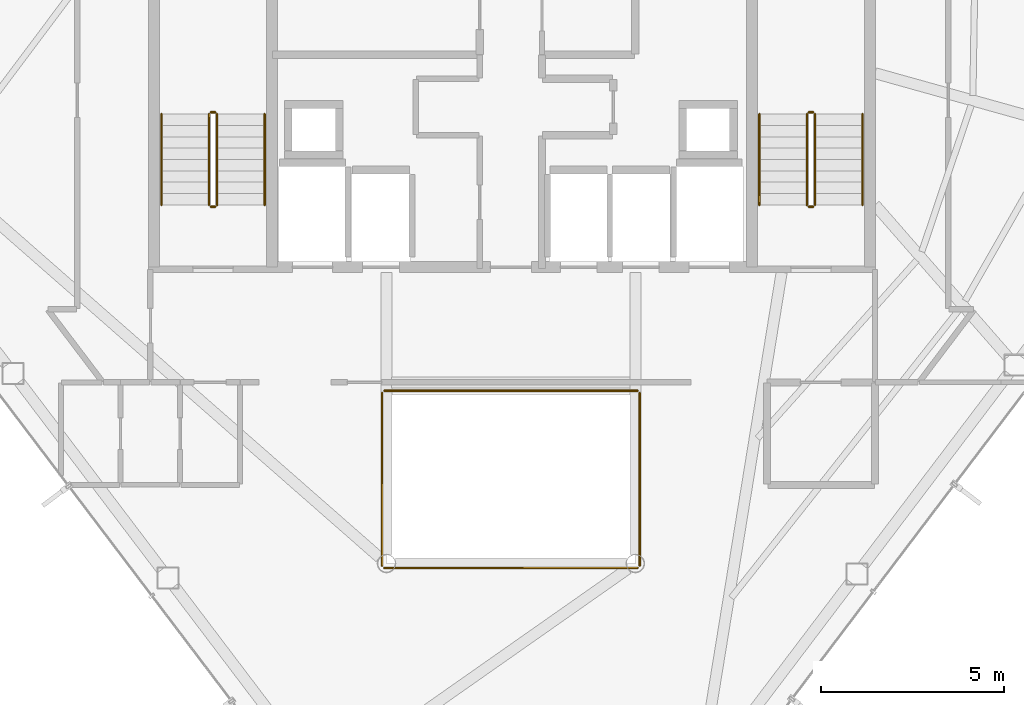
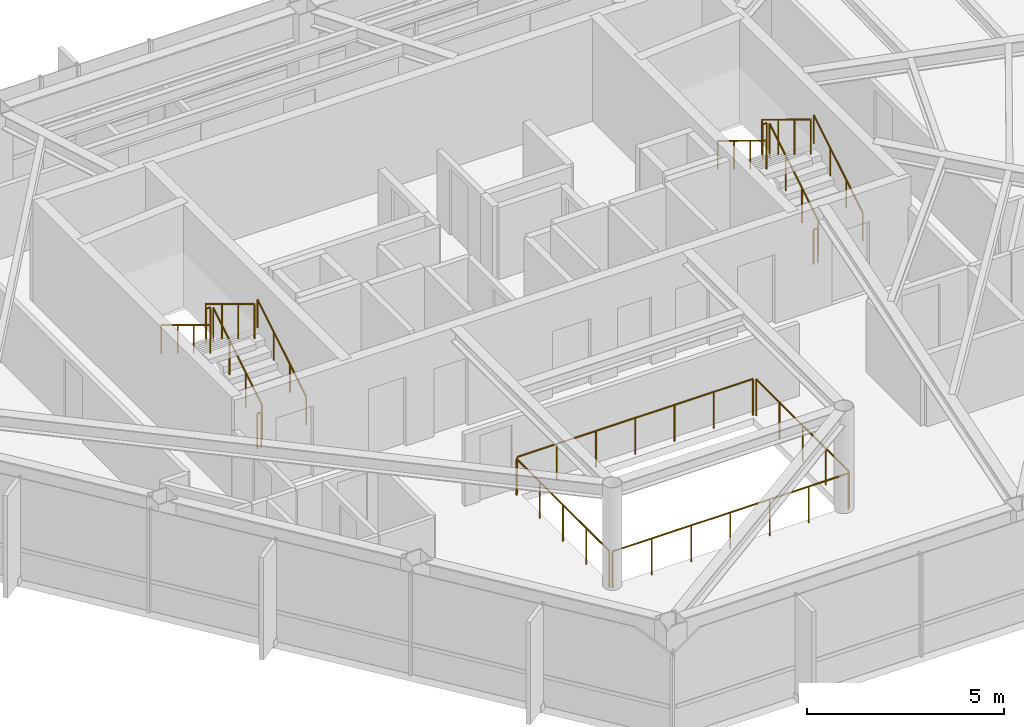
# One storey, part 25 of 25: 16 railings.
"""IFC4 building model written with IfcOpenShell, lengths in metres."""

from ifc_helpers import new_model, si_unit, direction, frame, origin, origin_2d, place, context, subcontext, project, spatial, circle, extrude, material, type_object, element, save


model = new_model("IFC4")

# Units and contexts
model_context = context("Model", 3, precision=1e-05, world=origin(), true_north=direction((0.0, 1.0)))
body_context = subcontext(model_context, "Body", "Model", "MODEL_VIEW")
ifc_project = project(units=[si_unit("LENGTHUNIT", "METRE"), si_unit("AREAUNIT", "SQUARE_METRE"), si_unit("VOLUMEUNIT", "CUBIC_METRE"), si_unit("PLANEANGLEUNIT", "RADIAN"), si_unit("MASSUNIT", "GRAM", prefix="KILO")], contexts=[model_context])

# Site, building, storey
site_placement = place(None, origin())
site = spatial("IfcSite", under=ifc_project, at=site_placement, CompositionType="ELEMENT")
building_placement = place(site_placement, origin())
building = spatial("IfcBuilding", under=site, at=building_placement, Name="Zarrinselat Tower", CompositionType="ELEMENT")
storey_placement = place(building_placement, frame((0.0, 0.0, 242.760009765625)))
storey = spatial("IfcBuildingStorey", under=building, at=storey_placement, Name="L61", CompositionType="ELEMENT", Elevation=242.760009765625)

# Railings
ifc_material_1 = material(Name="Double Low-E Laminated Solar Glass", Category="glass")
railing_type_1 = type_object("IfcRailingType", Name="RLG-ATRIUM-BAL", PredefinedType="BALUSTRADE", material=ifc_material_1)
railing_1_placement = place(storey_placement, frame((34.93994140625, 25.080078125, 0.0)))
element("IfcRailing", 1, at=railing_1_placement, inside=storey, type_object=railing_type_1, Name="L61 Atrium Void Glass Balustrade S", PredefinedType="BALUSTRADE", context=body_context, shape_type="SweptSolid", body=[
    extrude(circle(Radius=0.02392578125, at=origin_2d()), frame((0.0, 0.0, 1.1259765625), z_axis=(1.0, 0.0, 0.0), x_axis=(0.0, 1.0, 0.0)), (0.0, 0.0, 1.0), 6.920166015625),
    extrude(circle(Radius=0.02099609375, at=origin_2d()), origin(), (0.0, 0.0, 1.0), 1.099853515625),
    extrude(circle(Radius=0.02099609375, at=origin_2d()), frame((1.1533203125, 0.0, 0.0)), (0.0, 0.0, 1.0), 1.099853515625),
    extrude(circle(Radius=0.02099609375, at=origin_2d()), frame((2.306640625, 0.0, 0.0)), (0.0, 0.0, 1.0), 1.099853515625),
    extrude(circle(Radius=0.02099609375, at=origin_2d()), frame((3.4599609375, 0.0, 0.0)), (0.0, 0.0, 1.0), 1.099853515625),
    extrude(circle(Radius=0.02099609375, at=origin_2d()), frame((4.613525390625, 0.0, 0.0)), (0.0, 0.0, 1.0), 1.099853515625),
    extrude(circle(Radius=0.02099609375, at=origin_2d()), frame((5.766845703125, 0.0, 0.0)), (0.0, 0.0, 1.0), 1.099853515625),
    extrude(circle(Radius=0.02099609375, at=origin_2d()), frame((6.920166015625, 0.0, 0.0)), (0.0, 0.0, 1.0), 1.099853515625),
])
railing_2_placement = place(storey_placement, frame((41.919921875, 25.139892578125, 0.0)))
element("IfcRailing", 2, at=railing_2_placement, inside=storey, type_object=railing_type_1, Name="L61 Atrium Void Glass Balustrade E", PredefinedType="BALUSTRADE", context=body_context, shape_type="SweptSolid", body=[
    extrude(circle(Radius=0.02392578125, at=origin_2d()), frame((0.0, 0.0, 1.1259765625), z_axis=(0.0, 1.0, 0.0), x_axis=(-1.0, 0.0, 0.0)), (0.0, 0.0, 1.0), 4.72021484375),
    extrude(circle(Radius=0.02099609375, at=origin_2d()), origin(), (0.0, 0.0, 1.0), 1.099853515625),
    extrude(circle(Radius=0.02099609375, at=origin_2d()), frame((0.0, 1.18017578125, 0.0)), (0.0, 0.0, 1.0), 1.099853515625),
    extrude(circle(Radius=0.02099609375, at=origin_2d()), frame((0.0, 2.360107421875, 0.0)), (0.0, 0.0, 1.0), 1.099853515625),
    extrude(circle(Radius=0.02099609375, at=origin_2d()), frame((0.0, 3.5400390625, 0.0)), (0.0, 0.0, 1.0), 1.099853515625),
    extrude(circle(Radius=0.02099609375, at=origin_2d()), frame((0.0, 4.72021484375, 0.0)), (0.0, 0.0, 1.0), 1.099853515625),
])
railing_3_placement = place(storey_placement, frame((41.860107421875, 29.919921875, 0.0)))
element("IfcRailing", 3, at=railing_3_placement, inside=storey, type_object=railing_type_1, Name="L61 Atrium Void Glass Balustrade N", PredefinedType="BALUSTRADE", context=body_context, shape_type="SweptSolid", body=[
    extrude(circle(Radius=0.02392578125, at=origin_2d()), frame((0.0, 0.0, 1.1259765625), z_axis=(-1.0, 0.0, 0.0), x_axis=(0.0, -1.0, 0.0)), (0.0, 0.0, 1.0), 6.920166015625),
    extrude(circle(Radius=0.02099609375, at=origin_2d()), origin(), (0.0, 0.0, 1.0), 1.099853515625),
    extrude(circle(Radius=0.02099609375, at=origin_2d()), frame((-1.1533203125, 0.0, 0.0)), (0.0, 0.0, 1.0), 1.099853515625),
    extrude(circle(Radius=0.02099609375, at=origin_2d()), frame((-2.306640625, 0.0, 0.0)), (0.0, 0.0, 1.0), 1.099853515625),
    extrude(circle(Radius=0.02099609375, at=origin_2d()), frame((-3.4599609375, 0.0, 0.0)), (0.0, 0.0, 1.0), 1.099853515625),
    extrude(circle(Radius=0.02099609375, at=origin_2d()), frame((-4.613525390625, 0.0, 0.0)), (0.0, 0.0, 1.0), 1.099853515625),
    extrude(circle(Radius=0.02099609375, at=origin_2d()), frame((-5.766845703125, 0.0, 0.0)), (0.0, 0.0, 1.0), 1.099853515625),
    extrude(circle(Radius=0.02099609375, at=origin_2d()), frame((-6.920166015625, 0.0, 0.0)), (0.0, 0.0, 1.0), 1.099853515625),
])
railing_4_placement = place(storey_placement, frame((34.8798828125, 29.860107421875, 0.0)))
element("IfcRailing", 4, at=railing_4_placement, inside=storey, type_object=railing_type_1, Name="L61 Atrium Void Glass Balustrade W", PredefinedType="BALUSTRADE", context=body_context, shape_type="SweptSolid", body=[
    extrude(circle(Radius=0.02392578125, at=origin_2d()), frame((0.0, 0.0, 1.1259765625), z_axis=(0.0, -1.0, 0.0), x_axis=(1.0, 0.0, 0.0)), (0.0, 0.0, 1.0), 4.72021484375),
    extrude(circle(Radius=0.02099609375, at=origin_2d()), origin(), (0.0, 0.0, 1.0), 1.099853515625),
    extrude(circle(Radius=0.02099609375, at=origin_2d()), frame((0.0, -1.18017578125, 0.0)), (0.0, 0.0, 1.0), 1.099853515625),
    extrude(circle(Radius=0.02099609375, at=origin_2d()), frame((0.0, -2.360107421875, 0.0)), (0.0, 0.0, 1.0), 1.099853515625),
    extrude(circle(Radius=0.02099609375, at=origin_2d()), frame((0.0, -3.5400390625, 0.0)), (0.0, 0.0, 1.0), 1.099853515625),
    extrude(circle(Radius=0.02099609375, at=origin_2d()), frame((0.0, -4.72021484375, 0.0)), (0.0, 0.0, 1.0), 1.099853515625),
])
ifc_material_2 = material(Name="Steel S355J2", Category="steel")
railing_type_2 = type_object("IfcRailingType", Name="RLG-STAIR-GUARD", PredefinedType="GUARDRAIL", material=ifc_material_2)
railing_5_placement = place(storey_placement, frame((30.3701171875, 35.0, 0.18896484375)))
element("IfcRailing", 5, at=railing_5_placement, inside=storey, type_object=railing_type_2, Name="L61 ST-1 stair guard 1", PredefinedType="GUARDRAIL", context=body_context, shape_type="SweptSolid", body=[
    extrude(circle(Radius=0.02392578125, at=origin_2d()), frame((0.0, 0.0, 1.076171875), z_axis=(0.0, 0.8539793189, 0.520306950647), x_axis=(-1.0, 0.0, 0.0)), (0.0, 0.0, 1.0), 2.904052734375),
    extrude(circle(Radius=0.02099609375, at=origin_2d()), origin(), (0.0, 0.0, 1.0), 1.050048828125),
    extrude(circle(Radius=0.02099609375, at=origin_2d()), frame((0.0, 0.82666015625, 0.503662109375)), (0.0, 0.0, 1.0), 1.050048828125),
    extrude(circle(Radius=0.02099609375, at=origin_2d()), frame((0.0, 1.6533203125, 1.00732421875)), (0.0, 0.0, 1.0), 1.050048828125),
    extrude(circle(Radius=0.02099609375, at=origin_2d()), frame((0.0, 2.47998046875, 1.510986328125)), (0.0, 0.0, 1.0), 1.050048828125),
])
railing_6_placement = place(storey_placement, frame((30.320068359375, 37.530029296875, 1.699951171875)))
element("IfcRailing", 6, at=railing_6_placement, inside=storey, type_object=railing_type_2, Name="L61 ST-1 stair guard 2", PredefinedType="GUARDRAIL", context=body_context, shape_type="SweptSolid", body=[
    extrude(circle(Radius=0.02392578125, at=origin_2d()), frame((0.0, 0.0, 1.076171875), z_axis=(-1.0, 0.0, 0.0), x_axis=(0.0, -1.0, 0.0)), (0.0, 0.0, 1.0), 0.1201171875),
    extrude(circle(Radius=0.02099609375, at=origin_2d()), origin(), (0.0, 0.0, 1.0), 1.050048828125),
    extrude(circle(Radius=0.02099609375, at=origin_2d()), frame((-0.1201171875, 0.0, 0.0)), (0.0, 0.0, 1.0), 1.050048828125),
])
railing_7_placement = place(storey_placement, frame((30.14990234375, 37.47998046875, 1.888916015625)))
element("IfcRailing", 7, at=railing_7_placement, inside=storey, type_object=railing_type_2, Name="L61 ST-1 stair guard 3", PredefinedType="GUARDRAIL", context=body_context, shape_type="SweptSolid", body=[
    extrude(circle(Radius=0.02392578125, at=origin_2d()), frame((0.0, 0.0, 1.076171875), z_axis=(0.0, -0.8539793189, 0.520306950647), x_axis=(1.0, 0.0, 0.0)), (0.0, 0.0, 1.0), 2.904052734375),
    extrude(circle(Radius=0.02099609375, at=origin_2d()), origin(), (0.0, 0.0, 1.0), 1.050048828125),
    extrude(circle(Radius=0.02099609375, at=origin_2d()), frame((0.0, -0.82666015625, 0.503662109375)), (0.0, 0.0, 1.0), 1.050048828125),
    extrude(circle(Radius=0.02099609375, at=origin_2d()), frame((0.0, -1.6533203125, 1.00732421875)), (0.0, 0.0, 1.0), 1.050048828125),
    extrude(circle(Radius=0.02099609375, at=origin_2d()), frame((0.0, -2.47998046875, 1.510986328125)), (0.0, 0.0, 1.0), 1.050048828125),
])
railing_8_placement = place(storey_placement, frame((30.320068359375, 34.949951171875, 0.0)))
element("IfcRailing", 8, at=railing_8_placement, inside=storey, type_object=railing_type_2, Name="L61 ST-1 stair guard 4", PredefinedType="GUARDRAIL", context=body_context, shape_type="SweptSolid", body=[
    extrude(circle(Radius=0.02392578125, at=origin_2d()), frame((0.0, 0.0, 1.076171875), z_axis=(-1.0, 0.0, 0.0), x_axis=(0.0, -1.0, 0.0)), (0.0, 0.0, 1.0), 0.1201171875),
    extrude(circle(Radius=0.02099609375, at=origin_2d()), origin(), (0.0, 0.0, 1.0), 1.050048828125),
    extrude(circle(Radius=0.02099609375, at=origin_2d()), frame((-0.1201171875, 0.0, 0.0)), (0.0, 0.0, 1.0), 1.050048828125),
])
railing_9_placement = place(storey_placement, frame((46.7099609375, 35.0, 0.18896484375)))
element("IfcRailing", 9, at=railing_9_placement, inside=storey, type_object=railing_type_2, Name="L61 ST-2 stair guard 1", PredefinedType="GUARDRAIL", context=body_context, shape_type="SweptSolid", body=[
    extrude(circle(Radius=0.02392578125, at=origin_2d()), frame((0.0, 0.0, 1.076171875), z_axis=(0.0, 0.8539793189, 0.520306950647), x_axis=(-1.0, 0.0, 0.0)), (0.0, 0.0, 1.0), 2.904052734375),
    extrude(circle(Radius=0.02099609375, at=origin_2d()), origin(), (0.0, 0.0, 1.0), 1.050048828125),
    extrude(circle(Radius=0.02099609375, at=origin_2d()), frame((0.0, 0.82666015625, 0.503662109375)), (0.0, 0.0, 1.0), 1.050048828125),
    extrude(circle(Radius=0.02099609375, at=origin_2d()), frame((0.0, 1.6533203125, 1.00732421875)), (0.0, 0.0, 1.0), 1.050048828125),
    extrude(circle(Radius=0.02099609375, at=origin_2d()), frame((0.0, 2.47998046875, 1.510986328125)), (0.0, 0.0, 1.0), 1.050048828125),
])
railing_10_placement = place(storey_placement, frame((46.659912109375, 37.530029296875, 1.699951171875)))
element("IfcRailing", 10, at=railing_10_placement, inside=storey, type_object=railing_type_2, Name="L61 ST-2 stair guard 2", PredefinedType="GUARDRAIL", context=body_context, shape_type="SweptSolid", body=[
    extrude(circle(Radius=0.02392578125, at=origin_2d()), frame((0.0, 0.0, 1.076171875), z_axis=(-1.0, 0.0, 0.0), x_axis=(0.0, -1.0, 0.0)), (0.0, 0.0, 1.0), 0.119873046875),
    extrude(circle(Radius=0.02099609375, at=origin_2d()), origin(), (0.0, 0.0, 1.0), 1.050048828125),
    extrude(circle(Radius=0.02099609375, at=origin_2d()), frame((-0.119873046875, 0.0, 0.0)), (0.0, 0.0, 1.0), 1.050048828125),
])
railing_11_placement = place(storey_placement, frame((46.489990234375, 37.47998046875, 1.888916015625)))
element("IfcRailing", 11, at=railing_11_placement, inside=storey, type_object=railing_type_2, Name="L61 ST-2 stair guard 3", PredefinedType="GUARDRAIL", context=body_context, shape_type="SweptSolid", body=[
    extrude(circle(Radius=0.02392578125, at=origin_2d()), frame((0.0, 0.0, 1.076171875), z_axis=(0.0, -0.8539793189, 0.520306950647), x_axis=(1.0, 0.0, 0.0)), (0.0, 0.0, 1.0), 2.904052734375),
    extrude(circle(Radius=0.02099609375, at=origin_2d()), origin(), (0.0, 0.0, 1.0), 1.050048828125),
    extrude(circle(Radius=0.02099609375, at=origin_2d()), frame((0.0, -0.82666015625, 0.503662109375)), (0.0, 0.0, 1.0), 1.050048828125),
    extrude(circle(Radius=0.02099609375, at=origin_2d()), frame((0.0, -1.6533203125, 1.00732421875)), (0.0, 0.0, 1.0), 1.050048828125),
    extrude(circle(Radius=0.02099609375, at=origin_2d()), frame((0.0, -2.47998046875, 1.510986328125)), (0.0, 0.0, 1.0), 1.050048828125),
])
railing_12_placement = place(storey_placement, frame((46.659912109375, 34.949951171875, 0.0)))
element("IfcRailing", 12, at=railing_12_placement, inside=storey, type_object=railing_type_2, Name="L61 ST-2 stair guard 4", PredefinedType="GUARDRAIL", context=body_context, shape_type="SweptSolid", body=[
    extrude(circle(Radius=0.02392578125, at=origin_2d()), frame((0.0, 0.0, 1.076171875), z_axis=(-1.0, 0.0, 0.0), x_axis=(0.0, -1.0, 0.0)), (0.0, 0.0, 1.0), 0.119873046875),
    extrude(circle(Radius=0.02099609375, at=origin_2d()), origin(), (0.0, 0.0, 1.0), 1.050048828125),
    extrude(circle(Radius=0.02099609375, at=origin_2d()), frame((-0.119873046875, 0.0, 0.0)), (0.0, 0.0, 1.0), 1.050048828125),
])
ifc_material_3 = material(Name="Steel S355J2", Category="steel")
railing_type_3 = type_object("IfcRailingType", Name="RLG-STAIR-HAND", PredefinedType="HANDRAIL", material=ifc_material_3)
railing_13_placement = place(storey_placement, frame((31.669921875, 35.0, 0.18896484375)))
element("IfcRailing", 13, at=railing_13_placement, inside=storey, type_object=railing_type_3, Name="L61 ST-1 stair handrail 1", PredefinedType="HANDRAIL", context=body_context, shape_type="SweptSolid", body=[
    extrude(circle(Radius=0.02392578125, at=origin_2d()), frame((0.0, 0.0, 0.8759765625), z_axis=(0.0, 0.8539793189, 0.520306950647), x_axis=(-1.0, 0.0, 0.0)), (0.0, 0.0, 1.0), 2.904052734375),
    extrude(circle(Radius=0.02099609375, at=origin_2d()), origin(), (0.0, 0.0, 1.0), 0.849853515625),
    extrude(circle(Radius=0.02099609375, at=origin_2d()), frame((0.0, 0.82666015625, 0.503662109375)), (0.0, 0.0, 1.0), 0.849853515625),
    extrude(circle(Radius=0.02099609375, at=origin_2d()), frame((0.0, 1.6533203125, 1.00732421875)), (0.0, 0.0, 1.0), 0.849853515625),
    extrude(circle(Radius=0.02099609375, at=origin_2d()), frame((0.0, 2.47998046875, 1.510986328125)), (0.0, 0.0, 1.0), 0.849853515625),
])
railing_14_placement = place(storey_placement, frame((28.85009765625, 37.47998046875, 1.888916015625)))
element("IfcRailing", 14, at=railing_14_placement, inside=storey, type_object=railing_type_3, Name="L61 ST-1 stair handrail 2", PredefinedType="HANDRAIL", context=body_context, shape_type="SweptSolid", body=[
    extrude(circle(Radius=0.02392578125, at=origin_2d()), frame((0.0, 0.0, 0.8759765625), z_axis=(0.0, -0.8539793189, 0.520306950647), x_axis=(1.0, 0.0, 0.0)), (0.0, 0.0, 1.0), 2.904052734375),
    extrude(circle(Radius=0.02099609375, at=origin_2d()), origin(), (0.0, 0.0, 1.0), 0.849853515625),
    extrude(circle(Radius=0.02099609375, at=origin_2d()), frame((0.0, -0.82666015625, 0.503662109375)), (0.0, 0.0, 1.0), 0.849853515625),
    extrude(circle(Radius=0.02099609375, at=origin_2d()), frame((0.0, -1.6533203125, 1.00732421875)), (0.0, 0.0, 1.0), 0.849853515625),
    extrude(circle(Radius=0.02099609375, at=origin_2d()), frame((0.0, -2.47998046875, 1.510986328125)), (0.0, 0.0, 1.0), 0.849853515625),
])
railing_15_placement = place(storey_placement, frame((48.010009765625, 35.0, 0.18896484375)))
element("IfcRailing", 15, at=railing_15_placement, inside=storey, type_object=railing_type_3, Name="L61 ST-2 stair handrail 1", PredefinedType="HANDRAIL", context=body_context, shape_type="SweptSolid", body=[
    extrude(circle(Radius=0.02392578125, at=origin_2d()), frame((0.0, 0.0, 0.8759765625), z_axis=(0.0, 0.8539793189, 0.520306950647), x_axis=(-1.0, 0.0, 0.0)), (0.0, 0.0, 1.0), 2.904052734375),
    extrude(circle(Radius=0.02099609375, at=origin_2d()), origin(), (0.0, 0.0, 1.0), 0.849853515625),
    extrude(circle(Radius=0.02099609375, at=origin_2d()), frame((0.0, 0.82666015625, 0.503662109375)), (0.0, 0.0, 1.0), 0.849853515625),
    extrude(circle(Radius=0.02099609375, at=origin_2d()), frame((0.0, 1.6533203125, 1.00732421875)), (0.0, 0.0, 1.0), 0.849853515625),
    extrude(circle(Radius=0.02099609375, at=origin_2d()), frame((0.0, 2.47998046875, 1.510986328125)), (0.0, 0.0, 1.0), 0.849853515625),
])
railing_16_placement = place(storey_placement, frame((45.18994140625, 37.47998046875, 1.888916015625)))
element("IfcRailing", 16, at=railing_16_placement, inside=storey, type_object=railing_type_3, Name="L61 ST-2 stair handrail 2", PredefinedType="HANDRAIL", context=body_context, shape_type="SweptSolid", body=[
    extrude(circle(Radius=0.02392578125, at=origin_2d()), frame((0.0, 0.0, 0.8759765625), z_axis=(0.0, -0.8539793189, 0.520306950647), x_axis=(1.0, 0.0, 0.0)), (0.0, 0.0, 1.0), 2.904052734375),
    extrude(circle(Radius=0.02099609375, at=origin_2d()), origin(), (0.0, 0.0, 1.0), 0.849853515625),
    extrude(circle(Radius=0.02099609375, at=origin_2d()), frame((0.0, -0.82666015625, 0.503662109375)), (0.0, 0.0, 1.0), 0.849853515625),
    extrude(circle(Radius=0.02099609375, at=origin_2d()), frame((0.0, -1.6533203125, 1.00732421875)), (0.0, 0.0, 1.0), 0.849853515625),
    extrude(circle(Radius=0.02099609375, at=origin_2d()), frame((0.0, -2.47998046875, 1.510986328125)), (0.0, 0.0, 1.0), 0.849853515625),
])

save(model, "model.ifc")
